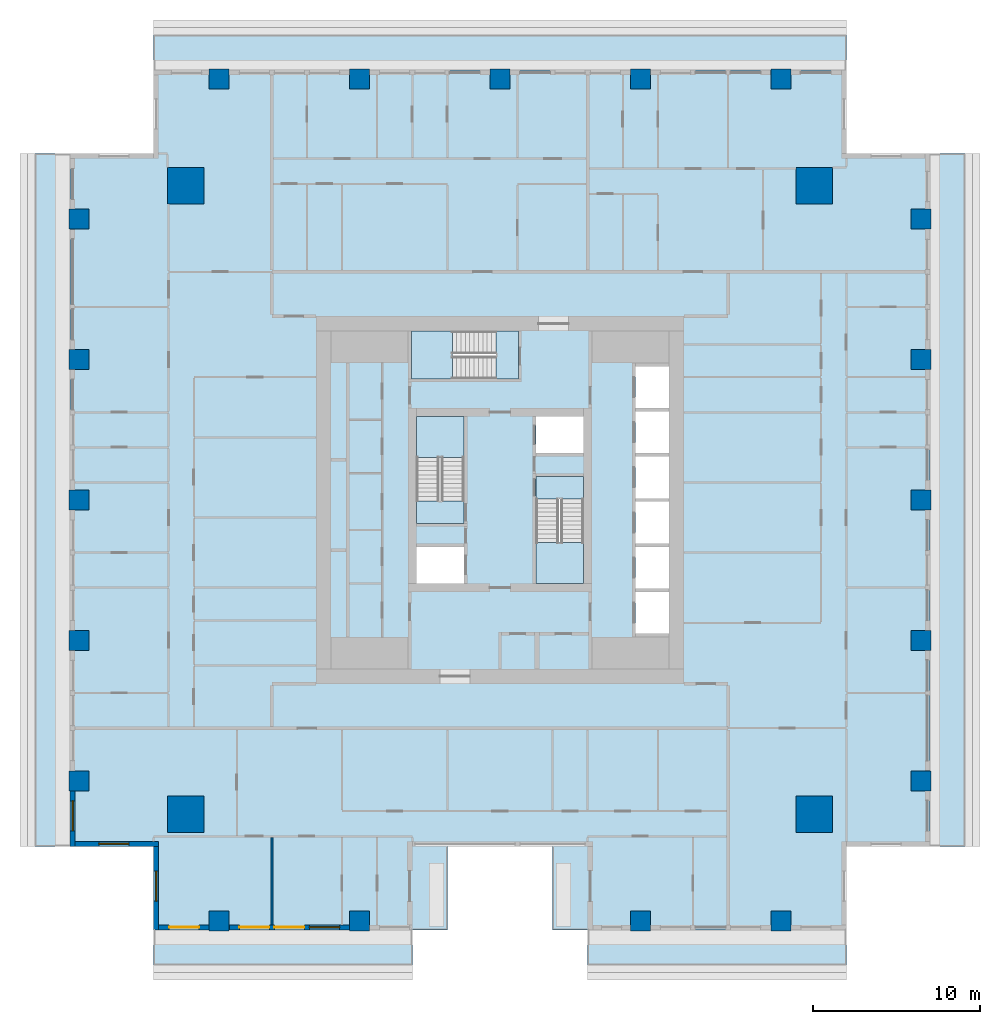
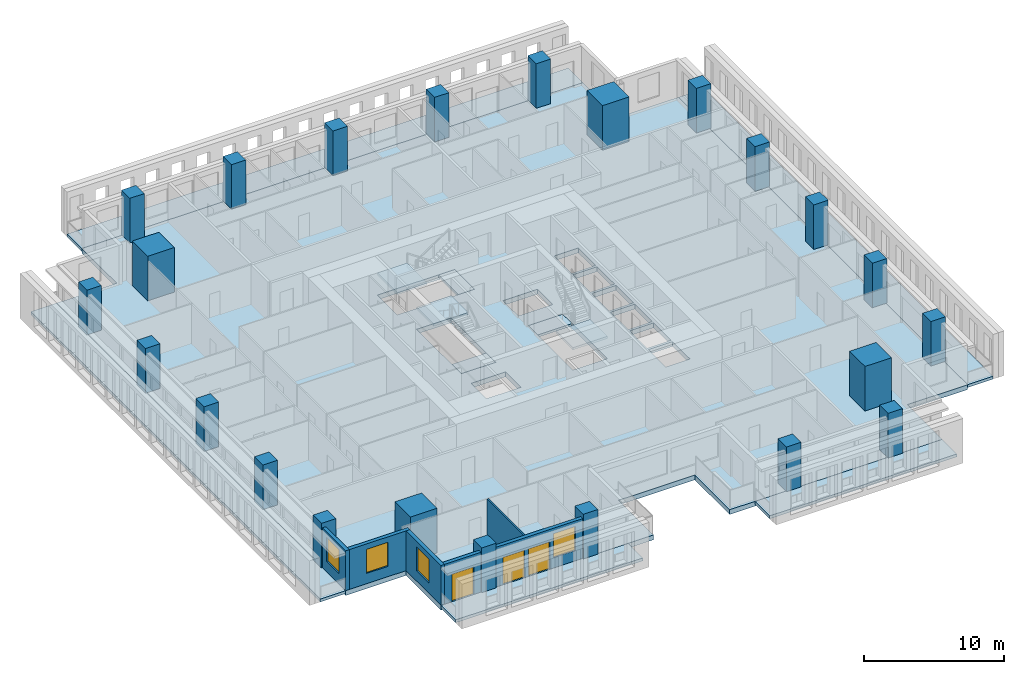
# One storey, part 1 of 15: 23 columns, 12 slabs, 6 walls, 4 windows, 3 doors, 7 openings, 3 elements without a shape of their own.
"""IFC4 building model written with IfcOpenShell, lengths in metres."""

import ifcopenshell
import ifcopenshell.guid

model = None  # the IFC model being written
_history = None  # IfcOwnerHistory: only IFC2X3 demands one
_inside = {}  # id of a spatial element -> (the spatial element, [elements in it])
_under = {}  # id of a project, library or spatial element -> (it, [spatial elements below it])
_declared = {}  # id of a project -> (the project, [libraries it declares])
_typed = {}  # id of a type object -> (the type object, [elements of that type])
_made_of = {}  # id of a material, layer set ... -> (it, [elements and type objects made of it])


def new_model(schema):
    """Start an empty IFC model of exactly this schema.

    Asked for "IFC4X3", IfcOpenShell would pick the latest addendum, in which some entities
    have other attributes; the version numbers below select the first issue.
    IFC2X3 requires an IfcOwnerHistory on every rooted entity: one is made here for all.
    """
    global model, _history
    if schema == "IFC4X3":
        model = ifcopenshell.file(schema_version=(4, 3, 0, 0))
    else:
        model = ifcopenshell.file(schema=schema)
    _inside.clear()
    _under.clear()
    _declared.clear()
    _typed.clear()
    _made_of.clear()
    _history = None
    if model.schema == "IFC2X3":
        org = make("IfcOrganization", Name="unknown")
        user = make(
            "IfcPersonAndOrganization",
            ThePerson=make("IfcPerson", FamilyName="unknown"),
            TheOrganization=org,
        )
        app = make(
            "IfcApplication",
            ApplicationDeveloper=org,
            Version="unknown",
            ApplicationFullName="unknown",
            ApplicationIdentifier="unknown",
        )
        _history = make(
            "IfcOwnerHistory",
            OwningUser=user,
            OwningApplication=app,
            ChangeAction="ADDED",
            CreationDate=0,
        )
    return model


def make(cls, **values):
    """One entity of the class cls with the attributes given. An attribute that is None is left unset."""
    return model.create_entity(
        cls, **{name: value for name, value in values.items() if value is not None}
    )


def rooted(cls, **values):
    """An entity with a GlobalId (a new one), such as an element, a storey or a relation."""
    return make(cls, GlobalId=ifcopenshell.guid.new(), OwnerHistory=_history, **values)


def si_unit(unit_type, name, prefix=None):
    """IfcSIUnit, for example si_unit("LENGTHUNIT", "METRE", prefix="MILLI")."""
    return make("IfcSIUnit", UnitType=unit_type, Prefix=prefix, Name=name)


def assignment(units):
    """IfcUnitAssignment: the units of a project."""
    return None if units is None else make("IfcUnitAssignment", Units=units)


def point(xyz):
    """IfcCartesianPoint."""
    return None if xyz is None else make("IfcCartesianPoint", Coordinates=xyz)


def direction(xyz):
    """IfcDirection."""
    return None if xyz is None else make("IfcDirection", DirectionRatios=xyz)


def frame(location, z_axis=None, x_axis=None):
    """IfcAxis2Placement3D, a coordinate frame: its origin and axes. An axis left out is left unset."""
    return make(
        "IfcAxis2Placement3D",
        Location=point(location),
        Axis=direction(z_axis),
        RefDirection=direction(x_axis),
    )


def frame_2d(location, x_axis=None):
    """IfcAxis2Placement2D, a coordinate frame in the plane: its origin and x axis."""
    return make(
        "IfcAxis2Placement2D", Location=point(location), RefDirection=direction(x_axis)
    )


def origin():
    """The frame at (0, 0, 0) with its axes left unset."""
    return frame((0.0, 0.0, 0.0))


def origin_2d():
    """The frame at (0, 0) in the plane with its x axis left unset."""
    return frame_2d((0.0, 0.0))


def place(relative_to, where):
    """IfcLocalPlacement: puts the frame where relative to a parent placement (None: the world)."""
    return make(
        "IfcLocalPlacement", PlacementRelTo=relative_to, RelativePlacement=where
    )


def context(
    kind, dimensions, precision=None, world=None, true_north=None, identifier=None
):
    """IfcGeometricRepresentationContext, for example the 3D "Model" context."""
    return make(
        "IfcGeometricRepresentationContext",
        ContextIdentifier=identifier,
        ContextType=kind,
        CoordinateSpaceDimension=dimensions,
        Precision=precision,
        WorldCoordinateSystem=world,
        TrueNorth=true_north,
    )


def subcontext(parent, identifier, kind, view, scale=None):
    """IfcGeometricRepresentationSubContext, for example "Body" below "Model"."""
    return make(
        "IfcGeometricRepresentationSubContext",
        ContextIdentifier=identifier,
        ContextType=kind,
        ParentContext=parent,
        TargetScale=scale,
        TargetView=view,
    )


def project(units=None, contexts=None):
    """IfcProject with its units and contexts."""
    return rooted(
        "IfcProject",
        Name="project",
        RepresentationContexts=contexts,
        UnitsInContext=assignment(units),
    )


def spatial(cls, under=None, at=None, **own):
    """A site, building, storey or space (cls), placed at a placement, below another one or the project."""
    s = rooted(cls, ObjectPlacement=at, **own)
    if under is not None:
        _under.setdefault(under.id(), (under, []))[1].append(s)
    return s


def polyline(points):
    """IfcPolyline through the points."""
    return make("IfcPolyline", Points=[point(p) for p in points])


def profile(cls, at=None, kind="AREA", **sizes):
    """A parametric profile (cls). Its sizes go by their IFC names, for example OverallWidth=200.0."""
    return make(cls, ProfileType=kind, Position=at, **sizes)


def rectangle(**sizes):
    """IfcRectangleProfileDef."""
    return profile("IfcRectangleProfileDef", **sizes)


def outline(outer, holes=None, kind="AREA"):
    """IfcArbitraryClosedProfileDef: a profile drawn as a closed curve; with holes, ...WithVoids."""
    if holes is None:
        return make("IfcArbitraryClosedProfileDef", ProfileType=kind, OuterCurve=outer)
    return make(
        "IfcArbitraryProfileDefWithVoids",
        ProfileType=kind,
        OuterCurve=outer,
        InnerCurves=holes,
    )


def extrude(swept, where, along, depth):
    """IfcExtrudedAreaSolid: the profile swept, set in the frame where, extruded along a direction by depth."""
    return make(
        "IfcExtrudedAreaSolid",
        SweptArea=swept,
        Position=where,
        ExtrudedDirection=direction(along),
        Depth=depth,
    )


def shape(context_of_items, identifier, shape_type, items):
    """IfcShapeRepresentation: the items that make up one representation, for example the "Body"."""
    return make(
        "IfcShapeRepresentation",
        ContextOfItems=context_of_items,
        RepresentationIdentifier=identifier,
        RepresentationType=shape_type,
        Items=items,
    )


def material(Name=None, Category=None):
    """IfcMaterial."""
    return make("IfcMaterial", Name=Name, Category=Category)


def layer(
    of_material, thickness, ventilated=None, Name=None, Category=None, Priority=None
):
    """IfcMaterialLayer: one layer of a wall or slab, of a material (None: an air gap)."""
    return make(
        "IfcMaterialLayer",
        Material=of_material,
        LayerThickness=thickness,
        IsVentilated=ventilated,
        Name=Name,
        Category=Category,
        Priority=Priority,
    )


def layer_set(layers, Name=None):
    """IfcMaterialLayerSet."""
    return make("IfcMaterialLayerSet", MaterialLayers=layers, LayerSetName=Name)


def material_profile(
    of_material, cross_section, Name=None, Category=None, Priority=None
):
    """IfcMaterialProfile: a cross section and its material."""
    return make(
        "IfcMaterialProfile",
        Name=Name,
        Material=of_material,
        Profile=cross_section,
        Priority=Priority,
        Category=Category,
    )


def profile_set(profiles, Name=None, composite=None):
    """IfcMaterialProfileSet."""
    return make(
        "IfcMaterialProfileSet",
        Name=Name,
        MaterialProfiles=profiles,
        CompositeProfile=composite,
    )


def made_of(thing, what):
    """Note that an element or type object is made of a material, layer set ...; save() writes the relation."""
    if what is not None:
        _made_of.setdefault(what.id(), (what, []))[1].append(thing)
    return thing


def type_object(cls, material=None, **own):
    """A type object (cls), such as IfcWallType, which elements share."""
    return made_of(rooted(cls, **own), material)


def element(
    cls,
    number,
    at=None,
    inside=None,
    cuts=None,
    type_object=None,
    material=None,
    context=None,
    identifier="Body",
    shape_type=None,
    held_by="IfcProductDefinitionShape",
    body=None,
    shapes=None,
    **own,
):
    """One element of the class cls, such as IfcWall. Its Tag is "e" and its number.

    at: its placement. inside: the storey or other place that contains it. cuts: it is an
    opening in that element (IfcRelVoidsElement). A single representation is given by context,
    identifier, shape_type and body (its items); several are given by shapes. held_by: the class
    of the entity that holds the representations. save() writes the other relations.
    """
    e = rooted(cls, Tag="e%d" % number, ObjectPlacement=at, **own)
    if body is not None:
        shapes = [shape(context, identifier, shape_type, body)]
    if shapes is not None:
        e.Representation = make(held_by, Representations=shapes)
    if inside is not None:
        _inside.setdefault(inside.id(), (inside, []))[1].append(e)
    if cuts is not None:
        rooted(
            "IfcRelVoidsElement", RelatingBuildingElement=cuts, RelatedOpeningElement=e
        )
    if type_object is not None:
        _typed.setdefault(type_object.id(), (type_object, []))[1].append(e)
    return made_of(e, material)


def fill(opening, filler):
    """IfcRelFillsElement: the door or window that sits in an opening."""
    return rooted(
        "IfcRelFillsElement",
        RelatingOpeningElement=opening,
        RelatedBuildingElement=filler,
    )


def aggregate(whole, parts):
    """IfcRelAggregates: a whole, such as a stair, and the parts it consists of."""
    return rooted("IfcRelAggregates", RelatingObject=whole, RelatedObjects=parts)


def save(model, path):
    """Write the relations noted so far, then the file.

    IfcRelAggregates (storeys below a building ...), IfcRelContainedInSpatialStructure (elements
    in a storey), IfcRelDefinesByType, IfcRelAssociatesMaterial and IfcRelDeclares: one each for
    every whole, place, type object, material and project.
    """
    for whole, parts in _under.values():
        aggregate(whole, parts)
    for where, things in _inside.values():
        rooted(
            "IfcRelContainedInSpatialStructure",
            RelatedElements=things,
            RelatingStructure=where,
        )
    for kind, things in _typed.values():
        rooted("IfcRelDefinesByType", RelatedObjects=things, RelatingType=kind)
    for what, things in _made_of.values():
        rooted("IfcRelAssociatesMaterial", RelatedObjects=things, RelatingMaterial=what)
    for by, libraries in _declared.values():
        rooted("IfcRelDeclares", RelatingContext=by, RelatedDefinitions=libraries)
    model.write(path)


model = new_model("IFC4")

# Units and contexts
model_context = context("Model", 3, precision=1e-05, world=origin(), true_north=direction((0.0, 1.0)))
body_context = subcontext(model_context, "Body", "Model", "MODEL_VIEW")
ifc_project = project(units=[si_unit("LENGTHUNIT", "METRE"), si_unit("AREAUNIT", "SQUARE_METRE"), si_unit("VOLUMEUNIT", "CUBIC_METRE"), si_unit("PLANEANGLEUNIT", "RADIAN"), si_unit("MASSUNIT", "GRAM", prefix="KILO")], contexts=[model_context])

# Site, building, storey
site_placement = place(None, origin())
site = spatial("IfcSite", under=ifc_project, at=site_placement, CompositionType="ELEMENT")
building_placement = place(site_placement, origin())
building = spatial("IfcBuilding", under=site, at=building_placement, Name="Khepri Terraces", CompositionType="ELEMENT")
storey_placement = place(building_placement, frame((0.0, 0.0, 248.39990234375)))
storey = spatial("IfcBuildingStorey", under=building, at=storey_placement, Name="L59", CompositionType="ELEMENT", Elevation=248.39990234375)

# Columns
ifc_material_1 = material(Name="Concrete C40/50", Category="concrete")
ifc_material_profile_1 = material_profile(ifc_material_1, rectangle(XDim=2.199951171875, YDim=2.199951171875, at=origin_2d()), Name="Concrete C40/50", Category="concrete")
ifc_profile_set_1 = profile_set([ifc_material_profile_1], Name="Concrete C40/50")
column_type_1 = type_object("IfcColumnType", Name="Mega column RC 2200x2200 C40/50", PredefinedType="COLUMN", material=ifc_profile_set_1)
for number, where, z_axis, x_axis, name in (
    (1, (18.800048828125, 18.800048828125, 0.0), (0.0, 0.0, 1.0), (1.0, 0.0, 0.0), "Mega column MEN L59"),
    (2, (18.800048828125, -18.800048828125, 0.0), (0.0, 0.0, 1.0), (1.0, 0.0, 0.0), "Mega column MES L59"),
    (3, (-18.800048828125, 18.800048828125, 0.0), (0.0, 0.0, 1.0), (1.0, 0.0, 0.0), "Mega column MWN L59"),
    (4, (-18.800048828125, -18.800048828125, 0.0), (0.0, 0.0, 1.0), (1.0, 0.0, 0.0), "Mega column MWS L59"),
):
    element("IfcColumn", number, at=place(storey_placement, frame(where, z_axis=z_axis, x_axis=x_axis)), inside=storey, type_object=column_type_1, Name=name, PredefinedType="COLUMN", context=body_context, shape_type="SweptSolid", body=[
        extrude(rectangle(XDim=2.199951171875, YDim=2.199951171875, at=origin_2d()), origin(), (0.0, 0.0, 1.0), 3.900146484375),
    ])
ifc_material_profile_2 = material_profile(ifc_material_1, rectangle(XDim=1.199951171875, YDim=1.199951171875, at=origin_2d()), Name="Concrete C40/50", Category="concrete")
ifc_profile_set_2 = profile_set([ifc_material_profile_2], Name="Concrete C40/50")
column_type_2 = type_object("IfcColumnType", Name="Tower column RC 1200x1200 C40/50", PredefinedType="COLUMN", material=ifc_profile_set_2)
for number, where, z_axis, x_axis, name in (
    (5, (25.199951171875, 0.0, 0.0), (0.0, 0.0, 1.0), (1.0, 0.0, 0.0), "Perimeter column PE+000b L59"),
    (6, (25.199951171875, 8.39990234375, 0.0), (0.0, 0.0, 1.0), (1.0, 0.0, 0.0), "Perimeter column PE+084b L59"),
    (7, (25.199951171875, 16.800048828125, 0.0), (0.0, 0.0, 1.0), (1.0, 0.0, 0.0), "Perimeter column PE+168a L59"),
    (8, (25.199951171875, -8.39990234375, 0.0), (0.0, 0.0, 1.0), (1.0, 0.0, 0.0), "Perimeter column PE-084b L59"),
    (9, (25.199951171875, -16.800048828125, 0.0), (0.0, 0.0, 1.0), (1.0, 0.0, 0.0), "Perimeter column PE-168a L59"),
    (10, (0.0, 25.199951171875, 0.0), (0.0, 0.0, 1.0), (1.0, 0.0, 0.0), "Perimeter column PN+000b L59"),
    (11, (-8.39990234375, 25.199951171875, 0.0), (0.0, 0.0, 1.0), (1.0, 0.0, 0.0), "Perimeter column PN+084b L59"),
    (12, (-16.800048828125, 25.199951171875, 0.0), (0.0, 0.0, 1.0), (1.0, 0.0, 0.0), "Perimeter column PN+168a L59"),
    (13, (8.39990234375, 25.199951171875, 0.0), (0.0, 0.0, 1.0), (1.0, 0.0, 0.0), "Perimeter column PN-084b L59"),
    (14, (16.800048828125, 25.199951171875, 0.0), (0.0, 0.0, 1.0), (1.0, 0.0, 0.0), "Perimeter column PN-168a L59"),
    (15, (8.39990234375, -25.199951171875, 0.0), (0.0, 0.0, 1.0), (1.0, 0.0, 0.0), "Perimeter column PS+084b L59"),
    (16, (16.800048828125, -25.199951171875, 0.0), (0.0, 0.0, 1.0), (1.0, 0.0, 0.0), "Perimeter column PS+168a L59"),
    (17, (-8.39990234375, -25.199951171875, 0.0), (0.0, 0.0, 1.0), (1.0, 0.0, 0.0), "Perimeter column PS-084b L59"),
    (18, (-16.800048828125, -25.199951171875, 0.0), (0.0, 0.0, 1.0), (1.0, 0.0, 0.0), "Perimeter column PS-168a L59"),
    (19, (-25.199951171875, 0.0, 0.0), (0.0, 0.0, 1.0), (1.0, 0.0, 0.0), "Perimeter column PW+000b L59"),
    (20, (-25.199951171875, -8.39990234375, 0.0), (0.0, 0.0, 1.0), (1.0, 0.0, 0.0), "Perimeter column PW+084b L59"),
    (21, (-25.199951171875, -16.800048828125, 0.0), (0.0, 0.0, 1.0), (1.0, 0.0, 0.0), "Perimeter column PW+168a L59"),
    (22, (-25.199951171875, 8.39990234375, 0.0), (0.0, 0.0, 1.0), (1.0, 0.0, 0.0), "Perimeter column PW-084b L59"),
    (23, (-25.199951171875, 16.800048828125, 0.0), (0.0, 0.0, 1.0), (1.0, 0.0, 0.0), "Perimeter column PW-168a L59"),
):
    element("IfcColumn", number, at=place(storey_placement, frame(where, z_axis=z_axis, x_axis=x_axis)), inside=storey, type_object=column_type_2, Name=name, PredefinedType="COLUMN", context=body_context, shape_type="SweptSolid", body=[
        extrude(rectangle(XDim=1.199951171875, YDim=1.199951171875, at=origin_2d()), origin(), (0.0, 0.0, 1.0), 3.900146484375),
    ])

# Slabs
ifc_layer_1 = layer(ifc_material_1, 0.419921875, Name="Concrete C40/50", Category="concrete")
ifc_layer_set_1 = layer_set([ifc_layer_1], Name="Concrete C40/50")
slab_type_1 = type_object("IfcSlabType", Name="Flat plate 420", PredefinedType="FLOOR", material=ifc_layer_set_1)
slab_1_placement = place(storey_placement, frame((0.0, 0.0, -0.419921875)))
element("IfcSlab", 24, at=slab_1_placement, inside=storey, type_object=slab_type_1, Name="Floor slab F01 L59", PredefinedType="FLOOR", context=body_context, shape_type="SweptSolid", body=[
    extrude(outline(polyline([(25.719970703125, -20.719970703125), (20.719970703125, -20.719970703125), (20.719970703125, -25.719970703125), (5.25, -25.719970703125), (3.14990234375, -25.719970703125), (3.14990234375, -20.719970703125), (-3.14990234375, -20.719970703125), (-3.14990234375, -25.719970703125), (-5.25, -25.719970703125), (-20.719970703125, -25.719970703125), (-20.719970703125, -20.719970703125), (-25.719970703125, -20.719970703125), (-25.719970703125, 20.719970703125), (-20.719970703125, 20.719970703125), (-20.719970703125, 25.719970703125), (20.719970703125, 25.719970703125), (20.719970703125, 20.719970703125), (25.719970703125, 20.719970703125), (25.719970703125, -20.719970703125)]), holes=[polyline([(2.14990234375, 2.800048828125), (5.0, 2.800048828125), (5.0, 5.0), (2.14990234375, 5.0), (2.14990234375, 2.800048828125)]), polyline([(-5.0, -2.800048828125), (-5.0, -5.0), (-2.14990234375, -5.0), (-2.14990234375, -2.800048828125), (-5.0, -2.800048828125)]), polyline([(10.10009765625, -5.5), (8.10009765625, -5.5), (8.10009765625, -8.0), (10.10009765625, -8.0), (10.10009765625, -5.5)]), polyline([(10.10009765625, -5.300048828125), (10.10009765625, -2.800048828125), (8.10009765625, -2.800048828125), (8.10009765625, -5.300048828125), (10.10009765625, -5.300048828125)]), polyline([(8.10009765625, -2.60009765625), (10.10009765625, -2.60009765625), (10.10009765625, -0.10009765625), (8.10009765625, -0.10009765625), (8.10009765625, -2.60009765625)]), polyline([(8.10009765625, 2.60009765625), (8.10009765625, 0.10009765625), (10.10009765625, 0.10009765625), (10.10009765625, 2.60009765625), (8.10009765625, 2.60009765625)]), polyline([(10.10009765625, 5.300048828125), (8.10009765625, 5.300048828125), (8.10009765625, 2.800048828125), (10.10009765625, 2.800048828125), (10.10009765625, 5.300048828125)]), polyline([(10.10009765625, 5.5), (10.10009765625, 8.0), (8.10009765625, 8.0), (8.10009765625, 5.5), (10.10009765625, 5.5)]), polyline([(-5.0, -1.39990234375), (-2.14990234375, -1.39990234375), (-2.14990234375, 5.0), (-5.0, 5.0), (-5.0, -1.39990234375)]), polyline([(5.0, -5.0), (5.0, 1.39990234375), (2.14990234375, 1.39990234375), (2.14990234375, -5.0), (5.0, -5.0)]), polyline([(-5.300048828125, 10.10009765625), (-5.300048828125, 7.25), (1.10009765625, 7.25), (1.10009765625, 10.10009765625), (-5.300048828125, 10.10009765625)])]), origin(), (0.0, 0.0, 1.0), 0.419921875),
])
ifc_material_2 = material(Name="Precast concrete C50/60 warm stone", Category="masonry")
ifc_layer_2 = layer(ifc_material_2, 0.25, Name="Precast concrete C50/60 warm stone", Category="masonry")
ifc_layer_set_2 = layer_set([ifc_layer_2], Name="Precast concrete C50/60 warm stone")
slab_type_2 = type_object("IfcSlabType", Name="SLB-BALCONY-250", PredefinedType="FLOOR", material=ifc_layer_set_2)
slab_2_placement = place(storey_placement, frame((0.0, 0.0, -0.25)))
element("IfcSlab", 25, at=slab_2_placement, inside=storey, type_object=slab_type_2, Name="Balcony slab L59 S", PredefinedType="FLOOR", context=body_context, shape_type="SweptSolid", body=[
    extrude(outline(polyline([(-17.39990234375, -25.719970703125), (-20.719970703125, -25.719970703125), (-20.719970703125, -27.820068359375), (-5.25, -27.820068359375), (-5.25, -25.719970703125), (-7.800048828125, -25.719970703125), (-7.800048828125, -25.800048828125), (-9.0, -25.800048828125), (-9.0, -25.719970703125), (-16.199951171875, -25.719970703125), (-16.199951171875, -25.800048828125), (-17.39990234375, -25.800048828125), (-17.39990234375, -25.719970703125)])), origin(), (0.0, 0.0, 1.0), 0.25),
])
slab_3_placement = place(storey_placement, frame((0.0, 0.0, -0.25)))
element("IfcSlab", 26, at=slab_3_placement, inside=storey, type_object=slab_type_2, Name="Balcony slab L59 S", PredefinedType="FLOOR", context=body_context, shape_type="SweptSolid", body=[
    extrude(outline(polyline([(7.800048828125, -25.719970703125), (5.25, -25.719970703125), (5.25, -27.820068359375), (20.719970703125, -27.820068359375), (20.719970703125, -25.719970703125), (17.39990234375, -25.719970703125), (17.39990234375, -25.800048828125), (16.199951171875, -25.800048828125), (16.199951171875, -25.719970703125), (9.0, -25.719970703125), (9.0, -25.800048828125), (7.800048828125, -25.800048828125), (7.800048828125, -25.719970703125)])), origin(), (0.0, 0.0, 1.0), 0.25),
])
slab_4_placement = place(storey_placement, frame((0.0, 0.0, -0.25)))
element("IfcSlab", 27, at=slab_4_placement, inside=storey, type_object=slab_type_2, Name="Balcony slab L59 E", PredefinedType="FLOOR", context=body_context, shape_type="SweptSolid", body=[
    extrude(outline(polyline([(25.719970703125, -17.39990234375), (25.719970703125, -20.719970703125), (27.820068359375, -20.719970703125), (27.820068359375, 20.719970703125), (25.719970703125, 20.719970703125), (25.719970703125, 17.39990234375), (25.800048828125, 17.39990234375), (25.800048828125, 16.199951171875), (25.719970703125, 16.199951171875), (25.719970703125, 9.0), (25.800048828125, 9.0), (25.800048828125, 7.800048828125), (25.719970703125, 7.800048828125), (25.719970703125, 0.60009765625), (25.800048828125, 0.60009765625), (25.800048828125, -0.60009765625), (25.719970703125, -0.60009765625), (25.719970703125, -7.800048828125), (25.800048828125, -7.800048828125), (25.800048828125, -9.0), (25.719970703125, -9.0), (25.719970703125, -16.199951171875), (25.800048828125, -16.199951171875), (25.800048828125, -17.39990234375), (25.719970703125, -17.39990234375)])), origin(), (0.0, 0.0, 1.0), 0.25),
])
slab_5_placement = place(storey_placement, frame((0.0, 0.0, -0.25)))
element("IfcSlab", 28, at=slab_5_placement, inside=storey, type_object=slab_type_2, Name="Balcony slab L59 N", PredefinedType="FLOOR", context=body_context, shape_type="SweptSolid", body=[
    extrude(outline(polyline([(17.39990234375, 25.719970703125), (20.719970703125, 25.719970703125), (20.719970703125, 27.820068359375), (-20.719970703125, 27.820068359375), (-20.719970703125, 25.719970703125), (-17.39990234375, 25.719970703125), (-17.39990234375, 25.800048828125), (-16.199951171875, 25.800048828125), (-16.199951171875, 25.719970703125), (-9.0, 25.719970703125), (-9.0, 25.800048828125), (-7.800048828125, 25.800048828125), (-7.800048828125, 25.719970703125), (-0.60009765625, 25.719970703125), (-0.60009765625, 25.800048828125), (0.60009765625, 25.800048828125), (0.60009765625, 25.719970703125), (7.800048828125, 25.719970703125), (7.800048828125, 25.800048828125), (9.0, 25.800048828125), (9.0, 25.719970703125), (16.199951171875, 25.719970703125), (16.199951171875, 25.800048828125), (17.39990234375, 25.800048828125), (17.39990234375, 25.719970703125)])), origin(), (0.0, 0.0, 1.0), 0.25),
])
slab_6_placement = place(storey_placement, frame((0.0, 0.0, -0.25)))
element("IfcSlab", 29, at=slab_6_placement, inside=storey, type_object=slab_type_2, Name="Balcony slab L59 W", PredefinedType="FLOOR", context=body_context, shape_type="SweptSolid", body=[
    extrude(outline(polyline([(-25.719970703125, 17.39990234375), (-25.719970703125, 20.719970703125), (-27.820068359375, 20.719970703125), (-27.820068359375, -20.719970703125), (-25.719970703125, -20.719970703125), (-25.719970703125, -17.39990234375), (-25.800048828125, -17.39990234375), (-25.800048828125, -16.199951171875), (-25.719970703125, -16.199951171875), (-25.719970703125, -9.0), (-25.800048828125, -9.0), (-25.800048828125, -7.800048828125), (-25.719970703125, -7.800048828125), (-25.719970703125, -0.60009765625), (-25.800048828125, -0.60009765625), (-25.800048828125, 0.60009765625), (-25.719970703125, 0.60009765625), (-25.719970703125, 7.800048828125), (-25.800048828125, 7.800048828125), (-25.800048828125, 9.0), (-25.719970703125, 9.0), (-25.719970703125, 16.199951171875), (-25.800048828125, 16.199951171875), (-25.800048828125, 17.39990234375), (-25.719970703125, 17.39990234375)])), origin(), (0.0, 0.0, 1.0), 0.25),
])

# Stair, slabs
stair_type = type_object("IfcStairType", Name="STAIR-RC-22R", PredefinedType="HALF_TURN_STAIR", material=ifc_material_1)
stair_1_placement = place(storey_placement, origin())
stair_1 = element("IfcStair", 30, at=stair_1_placement, inside=storey, type_object=stair_type, Name="L59 Exit Stair ST-1", PredefinedType="HALF_TURN_STAIR")
ifc_layer_3 = layer(ifc_material_1, 0.199951171875, Name="Concrete C40/50", Category="concrete")
ifc_layer_set_3 = layer_set([ifc_layer_3], Name="Concrete C40/50")
slab_type_3 = type_object("IfcSlabType", Name="SLB-CORE-LANDING", PredefinedType="LANDING", material=ifc_layer_set_3)
slab_7_placement = place(storey_placement, frame((0.0, 0.0, -0.199951171875)))
slab_7 = element("IfcSlab", 31, at=slab_7_placement, type_object=slab_type_3, Name="ST-1 landing 1", PredefinedType="LANDING", context=body_context, shape_type="SweptSolid", body=[
    extrude(outline(polyline([(-2.14990234375, -1.39990234375), (-2.14990234375, -0.050048828125), (-5.0, -0.050048828125), (-5.0, -1.39990234375), (-2.14990234375, -1.39990234375)])), origin(), (0.0, 0.0, 1.0), 0.199951171875),
])
slab_8_placement = place(storey_placement, frame((0.0, 0.0, 1.75)))
slab_8 = element("IfcSlab", 32, at=slab_8_placement, type_object=slab_type_3, Name="ST-1 landing 2", PredefinedType="LANDING", context=body_context, shape_type="SweptSolid", body=[
    extrude(outline(polyline([(-2.14990234375, 2.550048828125), (-2.14990234375, 5.0), (-5.0, 5.0), (-5.0, 2.550048828125), (-2.14990234375, 2.550048828125)])), origin(), (0.0, 0.0, 1.0), 0.2001953125),
])
aggregate(stair_1, [slab_7, slab_8])

stair_2_placement = place(storey_placement, origin())
stair_2 = element("IfcStair", 33, at=stair_2_placement, inside=storey, type_object=stair_type, Name="L59 Exit Stair ST-2", PredefinedType="HALF_TURN_STAIR")
slab_9_placement = place(storey_placement, frame((0.0, 0.0, -0.199951171875)))
slab_9 = element("IfcSlab", 34, at=slab_9_placement, type_object=slab_type_3, Name="ST-2 landing 1", PredefinedType="LANDING", context=body_context, shape_type="SweptSolid", body=[
    extrude(outline(polyline([(2.14990234375, 1.39990234375), (2.14990234375, 0.050048828125), (5.0, 0.050048828125), (5.0, 1.39990234375), (2.14990234375, 1.39990234375)])), origin(), (0.0, 0.0, 1.0), 0.199951171875),
])
slab_10_placement = place(storey_placement, frame((0.0, 0.0, 1.75)))
slab_10 = element("IfcSlab", 35, at=slab_10_placement, type_object=slab_type_3, Name="ST-2 landing 2", PredefinedType="LANDING", context=body_context, shape_type="SweptSolid", body=[
    extrude(outline(polyline([(2.14990234375, -2.550048828125), (2.14990234375, -5.0), (5.0, -5.0), (5.0, -2.550048828125), (2.14990234375, -2.550048828125)])), origin(), (0.0, 0.0, 1.0), 0.2001953125),
])
aggregate(stair_2, [slab_9, slab_10])

stair_3_placement = place(storey_placement, origin())
stair_3 = element("IfcStair", 36, at=stair_3_placement, inside=storey, type_object=stair_type, Name="L59 Exit Stair ST-3", PredefinedType="HALF_TURN_STAIR")
slab_11_placement = place(storey_placement, frame((0.0, 0.0, -0.199951171875)))
slab_11 = element("IfcSlab", 37, at=slab_11_placement, type_object=slab_type_3, Name="ST-3 landing 1", PredefinedType="LANDING", context=body_context, shape_type="SweptSolid", body=[
    extrude(outline(polyline([(1.10009765625, 10.10009765625), (-0.25, 10.10009765625), (-0.25, 7.25), (1.10009765625, 7.25), (1.10009765625, 10.10009765625)])), origin(), (0.0, 0.0, 1.0), 0.199951171875),
])
slab_12_placement = place(storey_placement, frame((0.0, 0.0, 1.75)))
slab_12 = element("IfcSlab", 38, at=slab_12_placement, type_object=slab_type_3, Name="ST-3 landing 2", PredefinedType="LANDING", context=body_context, shape_type="SweptSolid", body=[
    extrude(outline(polyline([(-2.85009765625, 10.10009765625), (-5.300048828125, 10.10009765625), (-5.300048828125, 7.25), (-2.85009765625, 7.25), (-2.85009765625, 10.10009765625)])), origin(), (0.0, 0.0, 1.0), 0.2001953125),
])
aggregate(stair_3, [slab_11, slab_12])

# Wall, opening, window
ifc_layer_4 = layer(ifc_material_2, 0.300048828125, Name="Precast concrete C50/60 warm stone", Category="masonry")
ifc_layer_set_4 = layer_set([ifc_layer_4], Name="Precast concrete C50/60 warm stone")
wall_type_1 = type_object("IfcWallType", Name="WL-EXT-PRECAST-300", PredefinedType="STANDARD", material=ifc_layer_set_4)
wall_1_placement = place(storey_placement, frame((-25.570068359375, -17.39990234375, 0.0), z_axis=(0.0, 0.0, 1.0), x_axis=(0.0, -1.0, 0.0)))
wall_1 = element("IfcWall", 39, at=wall_1_placement, inside=storey, type_object=wall_type_1, Name="External wall L59 W", PredefinedType="STANDARD", context=body_context, shape_type="SweptSolid", body=[
    extrude(rectangle(XDim=3.320068359375, YDim=0.300048828125, at=frame_2d((1.66015625, 0.0))), origin(), (0.0, 0.0, 1.0), 3.47998046875),
])
opening_1_placement = place(wall_1_placement, frame((0.60009765625, 0.0, 0.89990234375)))
opening_1 = element("IfcOpeningElement", 40, at=opening_1_placement, cuts=wall_1, Name="Opening W1", PredefinedType="OPENING", context=body_context, shape_type="SweptSolid", body=[
    extrude(rectangle(XDim=1.800048828125, YDim=2.10009765625, at=frame_2d((0.89990234375, 1.050048828125))), frame((0.0, 0.16015625, 0.0), z_axis=(0.0, -1.0, 0.0), x_axis=(1.0, 0.0, 0.0)), (0.0, 0.0, 1.0), 0.320068359375),
])
ifc_material_3 = material(Name="Clear glass", Category="glass")
window_type = type_object("IfcWindowType", Name="WIN-RES-1800x2100", PartitioningType="SINGLE_PANEL", PredefinedType="WINDOW", material=ifc_material_3)
window_1_placement = place(opening_1_placement, origin())
window_1 = element("IfcWindow", 41, at=window_1_placement, inside=storey, type_object=window_type, Name="Window L59 W", OverallHeight=2.10009765625, OverallWidth=1.800048828125, PartitioningType="SINGLE_PANEL", PredefinedType="WINDOW", context=body_context, shape_type="SweptSolid", body=[
    extrude(rectangle(XDim=1.800048828125, YDim=2.10009765625, at=frame_2d((0.89990234375, 1.050048828125))), frame((0.0, 0.030029296875, 0.0), z_axis=(0.0, -1.0, 0.0), x_axis=(1.0, 0.0, 0.0)), (0.0, 0.0, 1.0), 0.06005859375),
])
fill(opening_1, window_1)

wall_2_placement = place(storey_placement, frame((-25.419921875, -20.570068359375, 0.0), z_axis=(0.0, 0.0, 1.0), x_axis=(1.0, 0.0, 0.0)))
wall_2 = element("IfcWall", 42, at=wall_2_placement, inside=storey, type_object=wall_type_1, Name="External wall L59 S", PredefinedType="STANDARD", context=body_context, shape_type="SweptSolid", body=[
    extrude(rectangle(XDim=5.0, YDim=0.300048828125, at=frame_2d((2.5, 0.0))), origin(), (0.0, 0.0, 1.0), 3.47998046875),
])
opening_2_placement = place(wall_2_placement, frame((1.419921875, 0.0, 0.89990234375)))
opening_2 = element("IfcOpeningElement", 43, at=opening_2_placement, cuts=wall_2, Name="Opening W1", PredefinedType="OPENING", context=body_context, shape_type="SweptSolid", body=[
    extrude(rectangle(XDim=1.800048828125, YDim=2.10009765625, at=frame_2d((0.89990234375, 1.050048828125))), frame((0.0, 0.16015625, 0.0), z_axis=(0.0, -1.0, 0.0), x_axis=(1.0, 0.0, 0.0)), (0.0, 0.0, 1.0), 0.320068359375),
])
window_2_placement = place(opening_2_placement, origin())
window_2 = element("IfcWindow", 44, at=window_2_placement, inside=storey, type_object=window_type, Name="Window L59 S", OverallHeight=2.10009765625, OverallWidth=1.800048828125, PartitioningType="SINGLE_PANEL", PredefinedType="WINDOW", context=body_context, shape_type="SweptSolid", body=[
    extrude(rectangle(XDim=1.800048828125, YDim=2.10009765625, at=frame_2d((0.89990234375, 1.050048828125))), frame((0.0, 0.030029296875, 0.0), z_axis=(0.0, -1.0, 0.0), x_axis=(1.0, 0.0, 0.0)), (0.0, 0.0, 1.0), 0.06005859375),
])
fill(opening_2, window_2)

wall_3_placement = place(storey_placement, frame((-20.570068359375, -20.719970703125, 0.0), z_axis=(0.0, 0.0, 1.0), x_axis=(0.0, -1.0, 0.0)))
wall_3 = element("IfcWall", 45, at=wall_3_placement, inside=storey, type_object=wall_type_1, Name="External wall L59 W", PredefinedType="STANDARD", context=body_context, shape_type="SweptSolid", body=[
    extrude(rectangle(XDim=5.0, YDim=0.300048828125, at=frame_2d((2.5, 0.0))), origin(), (0.0, 0.0, 1.0), 3.47998046875),
])
opening_3_placement = place(wall_3_placement, frame((1.47998046875, 0.0, 0.89990234375)))
opening_3 = element("IfcOpeningElement", 46, at=opening_3_placement, cuts=wall_3, Name="Opening W1", PredefinedType="OPENING", context=body_context, shape_type="SweptSolid", body=[
    extrude(rectangle(XDim=1.800048828125, YDim=2.10009765625, at=frame_2d((0.89990234375, 1.050048828125))), frame((0.0, 0.16015625, 0.0), z_axis=(0.0, -1.0, 0.0), x_axis=(1.0, 0.0, 0.0)), (0.0, 0.0, 1.0), 0.320068359375),
])
window_3_placement = place(opening_3_placement, origin())
window_3 = element("IfcWindow", 47, at=window_3_placement, inside=storey, type_object=window_type, Name="Window L59 W", OverallHeight=2.10009765625, OverallWidth=1.800048828125, PartitioningType="SINGLE_PANEL", PredefinedType="WINDOW", context=body_context, shape_type="SweptSolid", body=[
    extrude(rectangle(XDim=1.800048828125, YDim=2.10009765625, at=frame_2d((0.89990234375, 1.050048828125))), frame((0.0, 0.030029296875, 0.0), z_axis=(0.0, -1.0, 0.0), x_axis=(1.0, 0.0, 0.0)), (0.0, 0.0, 1.0), 0.06005859375),
])
fill(opening_3, window_3)

# Wall, opening, door
wall_4_placement = place(storey_placement, frame((-20.419921875, -25.570068359375, 0.0), z_axis=(0.0, 0.0, 1.0), x_axis=(1.0, 0.0, 0.0)))
wall_4 = element("IfcWall", 48, at=wall_4_placement, inside=storey, type_object=wall_type_1, Name="External wall L59 S", PredefinedType="STANDARD", context=body_context, shape_type="SweptSolid", body=[
    extrude(rectangle(XDim=3.02001953125, YDim=0.300048828125, at=frame_2d((1.510009765625, 0.0))), origin(), (0.0, 0.0, 1.0), 3.47998046875),
])
opening_4_placement = place(wall_4_placement, frame((0.6201171875, 0.0, 0.0)))
opening_4 = element("IfcOpeningElement", 49, at=opening_4_placement, cuts=wall_4, Name="Opening ED-L59-16", PredefinedType="OPENING", context=body_context, shape_type="SweptSolid", body=[
    extrude(rectangle(XDim=1.800048828125, YDim=2.39990234375, at=frame_2d((0.89990234375, 1.199951171875))), frame((0.0, 0.16015625, 0.0), z_axis=(0.0, -1.0, 0.0), x_axis=(1.0, 0.0, 0.0)), (0.0, 0.0, 1.0), 0.320068359375),
])
ifc_material_4 = material(Name="Anodised aluminium bronze glazed door", Category="aluminium")
door_type = type_object("IfcDoorType", Name="DR-BAL-SLIDE-1800x2400", OperationType="NOTDEFINED", PredefinedType="DOOR", material=ifc_material_4)
door_1_placement = place(opening_4_placement, origin())
door_1 = element("IfcDoor", 50, at=door_1_placement, inside=storey, type_object=door_type, Name="Balcony door L59 S", OperationType="SLIDING_TO_RIGHT", OverallHeight=2.39990234375, OverallWidth=1.800048828125, PredefinedType="DOOR", context=body_context, shape_type="SweptSolid", body=[
    extrude(rectangle(XDim=1.800048828125, YDim=2.39990234375, at=frame_2d((0.89990234375, 1.199951171875))), frame((0.0, 0.02490234375, 0.0), z_axis=(0.0, -1.0, 0.0), x_axis=(1.0, 0.0, 0.0)), (0.0, 0.0, 1.0), 0.050048828125),
])
fill(opening_4, door_1)

# Wall, openings, doors, window
wall_5_placement = place(storey_placement, frame((-16.199951171875, -25.570068359375, 0.0), z_axis=(0.0, 0.0, 1.0), x_axis=(1.0, 0.0, 0.0)))
wall_5 = element("IfcWall", 51, at=wall_5_placement, inside=storey, type_object=wall_type_1, Name="External wall L59 S", PredefinedType="STANDARD", context=body_context, shape_type="SweptSolid", body=[
    extrude(rectangle(XDim=7.199951171875, YDim=0.300048828125, at=frame_2d((3.60009765625, 0.0))), origin(), (0.0, 0.0, 1.0), 3.47998046875),
])
opening_5_placement = place(wall_5_placement, frame((0.60009765625, 0.0, 0.0)))
opening_5 = element("IfcOpeningElement", 52, at=opening_5_placement, cuts=wall_5, Name="Opening ED-L59-17", PredefinedType="OPENING", context=body_context, shape_type="SweptSolid", body=[
    extrude(rectangle(XDim=1.800048828125, YDim=2.39990234375, at=frame_2d((0.89990234375, 1.199951171875))), frame((0.0, 0.16015625, 0.0), z_axis=(0.0, -1.0, 0.0), x_axis=(1.0, 0.0, 0.0)), (0.0, 0.0, 1.0), 0.320068359375),
])
opening_6_placement = place(wall_5_placement, frame((2.699951171875, 0.0, 0.0)))
opening_6 = element("IfcOpeningElement", 53, at=opening_6_placement, cuts=wall_5, Name="Opening ED-L59-18", PredefinedType="OPENING", context=body_context, shape_type="SweptSolid", body=[
    extrude(rectangle(XDim=1.800048828125, YDim=2.39990234375, at=frame_2d((0.89990234375, 1.199951171875))), frame((0.0, 0.16015625, 0.0), z_axis=(0.0, -1.0, 0.0), x_axis=(1.0, 0.0, 0.0)), (0.0, 0.0, 1.0), 0.320068359375),
])
opening_7_placement = place(wall_5_placement, frame((4.800048828125, 0.0, 0.89990234375)))
opening_7 = element("IfcOpeningElement", 54, at=opening_7_placement, cuts=wall_5, Name="Opening W1", PredefinedType="OPENING", context=body_context, shape_type="SweptSolid", body=[
    extrude(rectangle(XDim=1.800048828125, YDim=2.10009765625, at=frame_2d((0.89990234375, 1.050048828125))), frame((0.0, 0.16015625, 0.0), z_axis=(0.0, -1.0, 0.0), x_axis=(1.0, 0.0, 0.0)), (0.0, 0.0, 1.0), 0.320068359375),
])
door_2_placement = place(opening_5_placement, origin())
door_2 = element("IfcDoor", 55, at=door_2_placement, inside=storey, type_object=door_type, Name="Balcony door L59 S", OperationType="SLIDING_TO_LEFT", OverallHeight=2.39990234375, OverallWidth=1.800048828125, PredefinedType="DOOR", context=body_context, shape_type="SweptSolid", body=[
    extrude(rectangle(XDim=1.800048828125, YDim=2.39990234375, at=frame_2d((0.89990234375, 1.199951171875))), frame((0.0, 0.02490234375, 0.0), z_axis=(0.0, -1.0, 0.0), x_axis=(1.0, 0.0, 0.0)), (0.0, 0.0, 1.0), 0.050048828125),
])
fill(opening_5, door_2)
door_3_placement = place(opening_6_placement, origin())
door_3 = element("IfcDoor", 56, at=door_3_placement, inside=storey, type_object=door_type, Name="Balcony door L59 S", OperationType="SLIDING_TO_RIGHT", OverallHeight=2.39990234375, OverallWidth=1.800048828125, PredefinedType="DOOR", context=body_context, shape_type="SweptSolid", body=[
    extrude(rectangle(XDim=1.800048828125, YDim=2.39990234375, at=frame_2d((0.89990234375, 1.199951171875))), frame((0.0, 0.02490234375, 0.0), z_axis=(0.0, -1.0, 0.0), x_axis=(1.0, 0.0, 0.0)), (0.0, 0.0, 1.0), 0.050048828125),
])
fill(opening_6, door_3)
window_4_placement = place(opening_7_placement, origin())
window_4 = element("IfcWindow", 57, at=window_4_placement, inside=storey, type_object=window_type, Name="Window L59 S", OverallHeight=2.10009765625, OverallWidth=1.800048828125, PartitioningType="SINGLE_PANEL", PredefinedType="WINDOW", context=body_context, shape_type="SweptSolid", body=[
    extrude(rectangle(XDim=1.800048828125, YDim=2.10009765625, at=frame_2d((0.89990234375, 1.050048828125))), frame((0.0, 0.030029296875, 0.0), z_axis=(0.0, -1.0, 0.0), x_axis=(1.0, 0.0, 0.0)), (0.0, 0.0, 1.0), 0.06005859375),
])
fill(opening_7, window_4)

# Wall
ifc_material_5 = material(Name="Gypsum plasterboard partition")
ifc_layer_5 = layer(ifc_material_5, 0.1201171875, Name="Gypsum plasterboard partition")
ifc_layer_set_5 = layer_set([ifc_layer_5], Name="Gypsum plasterboard partition")
wall_type_2 = type_object("IfcWallType", Name="WL-PART-120", PredefinedType="PARTITIONING", material=ifc_layer_set_5)
wall_6_placement = place(storey_placement, frame((-13.64990234375, -25.419921875, 0.0), z_axis=(0.0, 0.0, 1.0), x_axis=(0.0, 1.0, 0.0)))
element("IfcWall", 58, at=wall_6_placement, inside=storey, type_object=wall_type_2, Name="Partition P-001 L59", PredefinedType="PARTITIONING", context=body_context, shape_type="SweptSolid", body=[
    extrude(rectangle(XDim=5.239990234375, YDim=0.1201171875, at=frame_2d((2.6201171875, 0.0))), origin(), (0.0, 0.0, 1.0), 3.47998046875),
])

save(model, "model.ifc")
